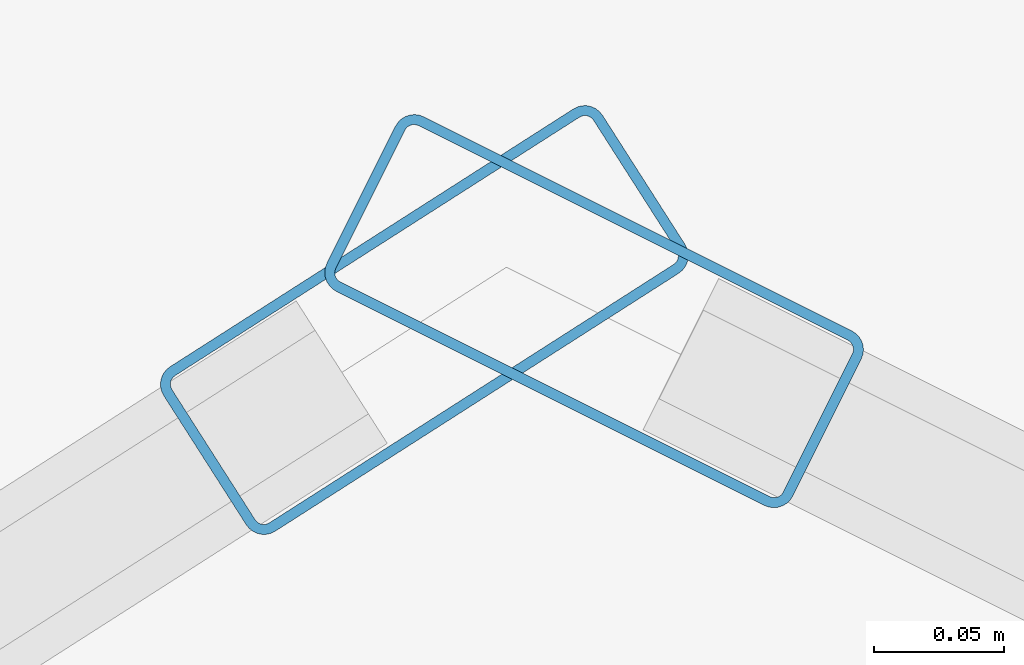
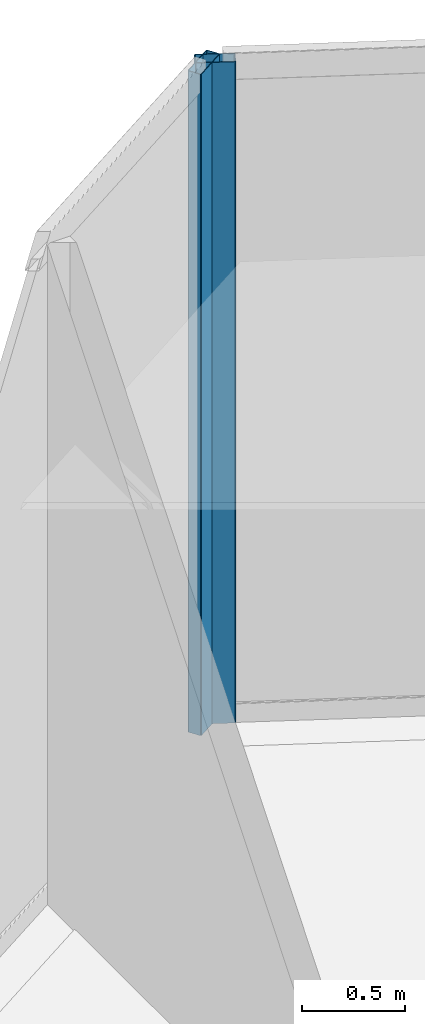
# One storey, part 23 of 36: 2 members, 2 elements without a shape of their own.
"""IFC4 building model written with IfcOpenShell, lengths in metres."""

from ifc_helpers import new_model, si_unit, direction, frame, origin, origin_2d, place, context, subcontext, project, spatial, hollow_rectangle, extrude, material, layer, layer_set, material_profile, profile_set, type_object, element, aggregate, save


model = new_model("IFC4")

# Units and contexts
model_context = context("Model", 3, precision=1e-05, world=origin(), true_north=direction((0.0, 1.0)))
body_context = subcontext(model_context, "Body", "Model", "MODEL_VIEW")
ifc_project = project(units=[si_unit("LENGTHUNIT", "METRE"), si_unit("AREAUNIT", "SQUARE_METRE"), si_unit("VOLUMEUNIT", "CUBIC_METRE"), si_unit("PLANEANGLEUNIT", "RADIAN"), si_unit("MASSUNIT", "GRAM", prefix="KILO")], contexts=[model_context])

# Site, building, storey
site_placement = place(None, origin())
site = spatial("IfcSite", under=ifc_project, at=site_placement, CompositionType="ELEMENT")
building_placement = place(site_placement, origin())
building = spatial("IfcBuilding", under=site, at=building_placement, Name="Qorvath Tower", CompositionType="ELEMENT")
storey_placement = place(building_placement, frame((0.0, 0.0, 272.39990234375)))
storey = spatial("IfcBuildingStorey", under=building, at=storey_placement, Name="L63", CompositionType="ELEMENT", Elevation=272.39990234375)

# Curtain wall, member
ifc_material_1 = material(Name="Anodised aluminium and triple low-E glass", Category="aluminium")
ifc_layer = layer(ifc_material_1, 0.179931640625)
ifc_layer_set = layer_set([ifc_layer], Name="CW-SYS-4")
curtain_wall_type = type_object("IfcCurtainWallType", Name="CW-SYS-4", PredefinedType="NOTDEFINED", material=ifc_layer_set)
curtain_wall_1_placement = place(storey_placement, origin())
curtain_wall_1 = element("IfcCurtainWall", 1, at=curtain_wall_1_placement, inside=storey, type_object=curtain_wall_type, Name="Curtain Wall CW-4 CW-T-L63-15.1", PredefinedType="NOTDEFINED")
ifc_material_2 = material(Name="Anodised aluminium 6063-T6", Category="aluminium")
ifc_material_profile = material_profile(ifc_material_2, hollow_rectangle(XDim=0.074951171875, YDim=0.199951171875, WallThickness=0.00390625, InnerFilletRadius=0.00390625, OuterFilletRadius=0.008056640625, at=origin_2d()), Name="CWM 200x75")
ifc_profile_set = profile_set([ifc_material_profile], Name="Anodised aluminium 6063-T6")
member_type = type_object("IfcMemberType", Name="CWM-200", PredefinedType="MULLION", material=ifc_profile_set)
member_1_placement = place(storey_placement, frame((-17.950439453125, 24.030517578125, 0.0), z_axis=(0.0, 0.0, 1.0), x_axis=(-0.447244838324, -0.894411568906, 0.0)))
member_1 = element("IfcMember", 2, at=member_1_placement, type_object=member_type, Name="CW-4 mullion 2", PredefinedType="MULLION", context=body_context, shape_type="SweptSolid", body=[
    extrude(hollow_rectangle(XDim=0.074951171875, YDim=0.199951171875, WallThickness=0.00390625, InnerFilletRadius=0.00390625, OuterFilletRadius=0.008056640625, at=origin_2d()), origin(), (0.0, 0.0, 1.0), 3.91015625),
])
aggregate(curtain_wall_1, [member_1])

curtain_wall_2_placement = place(storey_placement, origin())
curtain_wall_2 = element("IfcCurtainWall", 3, at=curtain_wall_2_placement, inside=storey, type_object=curtain_wall_type, Name="Curtain Wall CW-4 CW-T-L63-16.1", PredefinedType="NOTDEFINED")
member_2_placement = place(storey_placement, frame((-18.015625, 24.027099609375, 0.0), z_axis=(0.0, 0.0, 1.0), x_axis=(0.538533509281, -0.842604094093, 0.0)))
member_2 = element("IfcMember", 4, at=member_2_placement, type_object=member_type, Name="CW-4 mullion 1", PredefinedType="MULLION", context=body_context, shape_type="SweptSolid", body=[
    extrude(hollow_rectangle(XDim=0.074951171875, YDim=0.199951171875, WallThickness=0.00390625, InnerFilletRadius=0.00390625, OuterFilletRadius=0.008056640625, at=origin_2d()), origin(), (0.0, 0.0, 1.0), 3.91015625),
])
aggregate(curtain_wall_2, [member_2])

save(model, "model.ifc")
